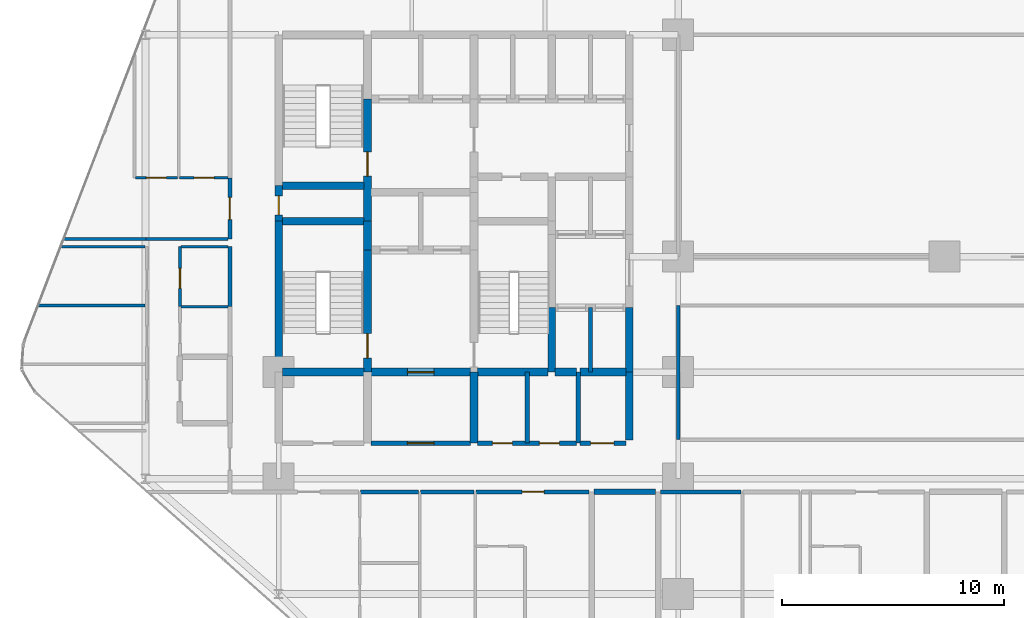
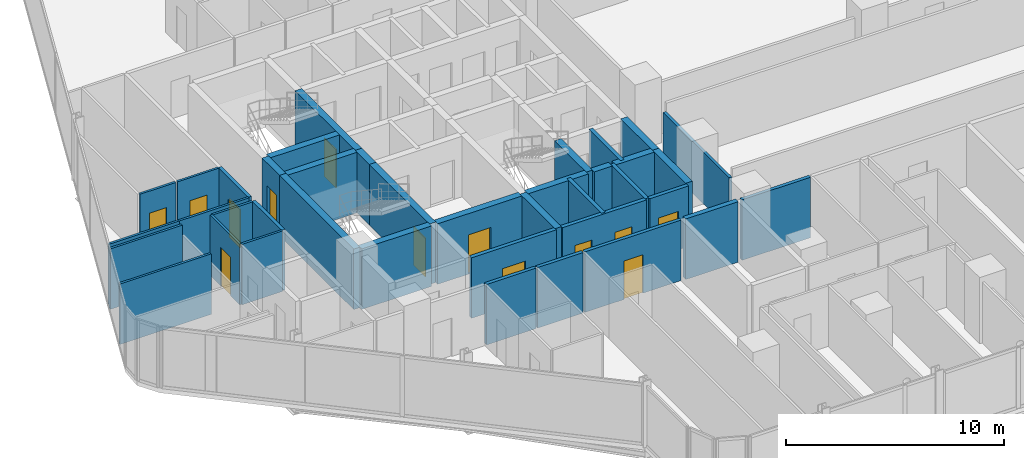
# One storey, part 27 of 33: 39 walls, 13 doors, 13 openings.
"""IFC4 building model written with IfcOpenShell, lengths in metres."""

import ifcopenshell
import ifcopenshell.guid

model = None  # the IFC model being written
_history = None  # IfcOwnerHistory: only IFC2X3 demands one
_inside = {}  # id of a spatial element -> (the spatial element, [elements in it])
_under = {}  # id of a project, library or spatial element -> (it, [spatial elements below it])
_declared = {}  # id of a project -> (the project, [libraries it declares])
_typed = {}  # id of a type object -> (the type object, [elements of that type])
_made_of = {}  # id of a material, layer set ... -> (it, [elements and type objects made of it])


def new_model(schema):
    """Start an empty IFC model of exactly this schema.

    Asked for "IFC4X3", IfcOpenShell would pick the latest addendum, in which some entities
    have other attributes; the version numbers below select the first issue.
    IFC2X3 requires an IfcOwnerHistory on every rooted entity: one is made here for all.
    """
    global model, _history
    if schema == "IFC4X3":
        model = ifcopenshell.file(schema_version=(4, 3, 0, 0))
    else:
        model = ifcopenshell.file(schema=schema)
    _inside.clear()
    _under.clear()
    _declared.clear()
    _typed.clear()
    _made_of.clear()
    _history = None
    if model.schema == "IFC2X3":
        org = make("IfcOrganization", Name="unknown")
        user = make(
            "IfcPersonAndOrganization",
            ThePerson=make("IfcPerson", FamilyName="unknown"),
            TheOrganization=org,
        )
        app = make(
            "IfcApplication",
            ApplicationDeveloper=org,
            Version="unknown",
            ApplicationFullName="unknown",
            ApplicationIdentifier="unknown",
        )
        _history = make(
            "IfcOwnerHistory",
            OwningUser=user,
            OwningApplication=app,
            ChangeAction="ADDED",
            CreationDate=0,
        )
    return model


def make(cls, **values):
    """One entity of the class cls with the attributes given. An attribute that is None is left unset."""
    return model.create_entity(
        cls, **{name: value for name, value in values.items() if value is not None}
    )


def rooted(cls, **values):
    """An entity with a GlobalId (a new one), such as an element, a storey or a relation."""
    return make(cls, GlobalId=ifcopenshell.guid.new(), OwnerHistory=_history, **values)


def si_unit(unit_type, name, prefix=None):
    """IfcSIUnit, for example si_unit("LENGTHUNIT", "METRE", prefix="MILLI")."""
    return make("IfcSIUnit", UnitType=unit_type, Prefix=prefix, Name=name)


def assignment(units):
    """IfcUnitAssignment: the units of a project."""
    return None if units is None else make("IfcUnitAssignment", Units=units)


def point(xyz):
    """IfcCartesianPoint."""
    return None if xyz is None else make("IfcCartesianPoint", Coordinates=xyz)


def direction(xyz):
    """IfcDirection."""
    return None if xyz is None else make("IfcDirection", DirectionRatios=xyz)


def frame(location, z_axis=None, x_axis=None):
    """IfcAxis2Placement3D, a coordinate frame: its origin and axes. An axis left out is left unset."""
    return make(
        "IfcAxis2Placement3D",
        Location=point(location),
        Axis=direction(z_axis),
        RefDirection=direction(x_axis),
    )


def frame_2d(location, x_axis=None):
    """IfcAxis2Placement2D, a coordinate frame in the plane: its origin and x axis."""
    return make(
        "IfcAxis2Placement2D", Location=point(location), RefDirection=direction(x_axis)
    )


def origin():
    """The frame at (0, 0, 0) with its axes left unset."""
    return frame((0.0, 0.0, 0.0))


def place(relative_to, where):
    """IfcLocalPlacement: puts the frame where relative to a parent placement (None: the world)."""
    return make(
        "IfcLocalPlacement", PlacementRelTo=relative_to, RelativePlacement=where
    )


def context(
    kind, dimensions, precision=None, world=None, true_north=None, identifier=None
):
    """IfcGeometricRepresentationContext, for example the 3D "Model" context."""
    return make(
        "IfcGeometricRepresentationContext",
        ContextIdentifier=identifier,
        ContextType=kind,
        CoordinateSpaceDimension=dimensions,
        Precision=precision,
        WorldCoordinateSystem=world,
        TrueNorth=true_north,
    )


def subcontext(parent, identifier, kind, view, scale=None):
    """IfcGeometricRepresentationSubContext, for example "Body" below "Model"."""
    return make(
        "IfcGeometricRepresentationSubContext",
        ContextIdentifier=identifier,
        ContextType=kind,
        ParentContext=parent,
        TargetScale=scale,
        TargetView=view,
    )


def project(units=None, contexts=None):
    """IfcProject with its units and contexts."""
    return rooted(
        "IfcProject",
        Name="project",
        RepresentationContexts=contexts,
        UnitsInContext=assignment(units),
    )


def spatial(cls, under=None, at=None, **own):
    """A site, building, storey or space (cls), placed at a placement, below another one or the project."""
    s = rooted(cls, ObjectPlacement=at, **own)
    if under is not None:
        _under.setdefault(under.id(), (under, []))[1].append(s)
    return s


def profile(cls, at=None, kind="AREA", **sizes):
    """A parametric profile (cls). Its sizes go by their IFC names, for example OverallWidth=200.0."""
    return make(cls, ProfileType=kind, Position=at, **sizes)


def rectangle(**sizes):
    """IfcRectangleProfileDef."""
    return profile("IfcRectangleProfileDef", **sizes)


def extrude(swept, where, along, depth):
    """IfcExtrudedAreaSolid: the profile swept, set in the frame where, extruded along a direction by depth."""
    return make(
        "IfcExtrudedAreaSolid",
        SweptArea=swept,
        Position=where,
        ExtrudedDirection=direction(along),
        Depth=depth,
    )


def shape(context_of_items, identifier, shape_type, items):
    """IfcShapeRepresentation: the items that make up one representation, for example the "Body"."""
    return make(
        "IfcShapeRepresentation",
        ContextOfItems=context_of_items,
        RepresentationIdentifier=identifier,
        RepresentationType=shape_type,
        Items=items,
    )


def material(Name=None, Category=None):
    """IfcMaterial."""
    return make("IfcMaterial", Name=Name, Category=Category)


def layer(
    of_material, thickness, ventilated=None, Name=None, Category=None, Priority=None
):
    """IfcMaterialLayer: one layer of a wall or slab, of a material (None: an air gap)."""
    return make(
        "IfcMaterialLayer",
        Material=of_material,
        LayerThickness=thickness,
        IsVentilated=ventilated,
        Name=Name,
        Category=Category,
        Priority=Priority,
    )


def layer_set(layers, Name=None):
    """IfcMaterialLayerSet."""
    return make("IfcMaterialLayerSet", MaterialLayers=layers, LayerSetName=Name)


def made_of(thing, what):
    """Note that an element or type object is made of a material, layer set ...; save() writes the relation."""
    if what is not None:
        _made_of.setdefault(what.id(), (what, []))[1].append(thing)
    return thing


def type_object(cls, material=None, **own):
    """A type object (cls), such as IfcWallType, which elements share."""
    return made_of(rooted(cls, **own), material)


def element(
    cls,
    number,
    at=None,
    inside=None,
    cuts=None,
    type_object=None,
    material=None,
    context=None,
    identifier="Body",
    shape_type=None,
    held_by="IfcProductDefinitionShape",
    body=None,
    shapes=None,
    **own,
):
    """One element of the class cls, such as IfcWall. Its Tag is "e" and its number.

    at: its placement. inside: the storey or other place that contains it. cuts: it is an
    opening in that element (IfcRelVoidsElement). A single representation is given by context,
    identifier, shape_type and body (its items); several are given by shapes. held_by: the class
    of the entity that holds the representations. save() writes the other relations.
    """
    e = rooted(cls, Tag="e%d" % number, ObjectPlacement=at, **own)
    if body is not None:
        shapes = [shape(context, identifier, shape_type, body)]
    if shapes is not None:
        e.Representation = make(held_by, Representations=shapes)
    if inside is not None:
        _inside.setdefault(inside.id(), (inside, []))[1].append(e)
    if cuts is not None:
        rooted(
            "IfcRelVoidsElement", RelatingBuildingElement=cuts, RelatedOpeningElement=e
        )
    if type_object is not None:
        _typed.setdefault(type_object.id(), (type_object, []))[1].append(e)
    return made_of(e, material)


def fill(opening, filler):
    """IfcRelFillsElement: the door or window that sits in an opening."""
    return rooted(
        "IfcRelFillsElement",
        RelatingOpeningElement=opening,
        RelatedBuildingElement=filler,
    )


def aggregate(whole, parts):
    """IfcRelAggregates: a whole, such as a stair, and the parts it consists of."""
    return rooted("IfcRelAggregates", RelatingObject=whole, RelatedObjects=parts)


def save(model, path):
    """Write the relations noted so far, then the file.

    IfcRelAggregates (storeys below a building ...), IfcRelContainedInSpatialStructure (elements
    in a storey), IfcRelDefinesByType, IfcRelAssociatesMaterial and IfcRelDeclares: one each for
    every whole, place, type object, material and project.
    """
    for whole, parts in _under.values():
        aggregate(whole, parts)
    for where, things in _inside.values():
        rooted(
            "IfcRelContainedInSpatialStructure",
            RelatedElements=things,
            RelatingStructure=where,
        )
    for kind, things in _typed.values():
        rooted("IfcRelDefinesByType", RelatedObjects=things, RelatingType=kind)
    for what, things in _made_of.values():
        rooted("IfcRelAssociatesMaterial", RelatedObjects=things, RelatingMaterial=what)
    for by, libraries in _declared.values():
        rooted("IfcRelDeclares", RelatingContext=by, RelatedDefinitions=libraries)
    model.write(path)


model = new_model("IFC4")

# Units and contexts
model_context = context("Model", 3, precision=1e-05, world=origin(), true_north=direction((0.0, 1.0)))
body_context = subcontext(model_context, "Body", "Model", "MODEL_VIEW")
ifc_project = project(units=[si_unit("LENGTHUNIT", "METRE"), si_unit("AREAUNIT", "SQUARE_METRE"), si_unit("VOLUMEUNIT", "CUBIC_METRE"), si_unit("PLANEANGLEUNIT", "RADIAN"), si_unit("MASSUNIT", "GRAM", prefix="KILO")], contexts=[model_context])

# Site, building, storey
site_placement = place(None, origin())
site = spatial("IfcSite", under=ifc_project, at=site_placement, CompositionType="ELEMENT")
building_placement = place(site_placement, origin())
building = spatial("IfcBuilding", under=site, at=building_placement, Name="Keshet Zoharim Tower", CompositionType="ELEMENT")
storey_placement = place(building_placement, frame((0.0, 0.0, 27.699951171875)))
storey = spatial("IfcBuildingStorey", under=building, at=storey_placement, Name="L05", CompositionType="ELEMENT", Elevation=27.699951171875)

# Walls
ifc_material_1 = material(Name="Gypsum Plasterboard", Category="gypsum")
ifc_layer_1 = layer(ifc_material_1, 0.14990234375)
ifc_layer_set_1 = layer_set([ifc_layer_1], Name="Gypsum Plasterboard")
wall_type_1 = type_object("IfcWallType", Name="WL-CLIN-150", PredefinedType="STANDARD", material=ifc_layer_set_1)
wall_1_placement = place(storey_placement, frame((33.0, 19.659912109375, 0.0), z_axis=(0.0, 0.0, 1.0), x_axis=(0.0, 1.0, 0.0)))
element("IfcWall", 1, at=wall_1_placement, inside=storey, type_object=wall_type_1, Name="L05 Interior Wall 072", PredefinedType="STANDARD", context=body_context, shape_type="SweptSolid", body=[
    extrude(rectangle(XDim=6.030029296875, YDim=0.14990234375, at=frame_2d((3.01513671875, 0.0))), origin(), (0.0, 0.0, 1.0), 2.885009765625),
])
ifc_material_2 = material(Name="Concrete C60/75", Category="concrete")
ifc_layer_2 = layer(ifc_material_2, 0.35009765625)
ifc_layer_set_2 = layer_set([ifc_layer_2], Name="Concrete C60/75")
wall_type_2 = type_object("IfcWallType", Name="WL-CORE-350", PredefinedType="SHEAR", material=ifc_layer_set_2)
wall_2_placement = place(storey_placement, frame((15.0, 22.699951171875, 0.0), z_axis=(0.0, 0.0, 1.0), x_axis=(0.0, 1.0, 0.0)))
element("IfcWall", 2, at=wall_2_placement, inside=storey, type_object=wall_type_2, Name="L05 Core Shear Wall 014", PredefinedType="SHEAR", context=body_context, shape_type="SweptSolid", body=[
    extrude(rectangle(XDim=6.800048828125, YDim=0.35009765625, at=frame_2d((3.39990234375, 0.0))), origin(), (0.0, 0.0, 1.0), 3.385009765625),
])

# Wall, opening, door
wall_3_placement = place(storey_placement, frame((15.0, 29.5, 0.0), z_axis=(0.0, 0.0, 1.0), x_axis=(0.0, 1.0, 0.0)))
wall_3 = element("IfcWall", 3, at=wall_3_placement, inside=storey, type_object=wall_type_2, Name="L05 Core Shear Wall 015", PredefinedType="SHEAR", context=body_context, shape_type="SweptSolid", body=[
    extrude(rectangle(XDim=1.60009765625, YDim=0.35009765625, at=frame_2d((0.800048828125, 0.0))), origin(), (0.0, 0.0, 1.0), 3.385009765625),
])
opening_1_placement = place(wall_3_placement, frame((0.287109375, 0.0, 0.0)))
opening_1 = element("IfcOpeningElement", 4, at=opening_1_placement, cuts=wall_3, Name="Opening D-RS85", PredefinedType="OPENING", context=body_context, shape_type="SweptSolid", body=[
    extrude(rectangle(XDim=0.85009765625, YDim=2.10009765625, at=frame_2d((0.425048828125, 1.050048828125))), frame((0.0, 0.18505859375, 0.0), z_axis=(0.0, -1.0, 0.0), x_axis=(1.0, 0.0, 0.0)), (0.0, 0.0, 1.0), 0.3701171875),
])
ifc_material_3 = material(Name="Hardwood Timber", Category="wood")
door_type_1 = type_object("IfcDoorType", Name="DR-RIS-085", OperationType="NOTDEFINED", PredefinedType="DOOR", material=ifc_material_3)
door_1_placement = place(opening_1_placement, origin())
door_1 = element("IfcDoor", 5, at=door_1_placement, inside=storey, type_object=door_type_1, Name="L05 Electrical Riser Access Cupboard Door", OperationType="SINGLE_SWING_LEFT", OverallHeight=2.10009765625, OverallWidth=0.85009765625, PredefinedType="DOOR", context=body_context, shape_type="SweptSolid", body=[
    extrude(rectangle(XDim=0.85009765625, YDim=2.10009765625, at=frame_2d((0.425048828125, 1.050048828125))), frame((0.0, 0.02490234375, 0.0), z_axis=(0.0, -1.0, 0.0), x_axis=(1.0, 0.0, 0.0)), (0.0, 0.0, 1.0), 0.050048828125),
])
fill(opening_1, door_1)

wall_4_placement = place(storey_placement, frame((19.0, 22.699951171875, 0.0), z_axis=(0.0, 0.0, 1.0), x_axis=(0.0, 1.0, 0.0)))
wall_4 = element("IfcWall", 6, at=wall_4_placement, inside=storey, type_object=wall_type_2, Name="L05 Core Shear Wall 022", PredefinedType="SHEAR", context=body_context, shape_type="SweptSolid", body=[
    extrude(rectangle(XDim=5.5, YDim=0.35009765625, at=frame_2d((2.75, 0.0))), origin(), (0.0, 0.0, 1.0), 3.385009765625),
])
opening_2_placement = place(wall_4_placement, frame((0.631103515625, 0.0, 0.0)))
opening_2 = element("IfcOpeningElement", 7, at=opening_2_placement, cuts=wall_4, Name="Opening D-F611", PredefinedType="OPENING", context=body_context, shape_type="SweptSolid", body=[
    extrude(rectangle(XDim=1.10009765625, YDim=2.14990234375, at=frame_2d((0.550048828125, 1.074951171875))), frame((0.0, 0.18505859375, 0.0), z_axis=(0.0, -1.0, 0.0), x_axis=(1.0, 0.0, 0.0)), (0.0, 0.0, 1.0), 0.3701171875),
])
door_type_2 = type_object("IfcDoorType", Name="DR-FD60-110", OperationType="NOTDEFINED", PredefinedType="DOOR", material=ifc_material_3)
door_2_placement = place(opening_2_placement, origin())
door_2 = element("IfcDoor", 8, at=door_2_placement, inside=storey, type_object=door_type_2, Name="L05 Exit Stair ST-01 Fire Door", OperationType="SINGLE_SWING_LEFT", OverallHeight=2.14990234375, OverallWidth=1.10009765625, PredefinedType="DOOR", context=body_context, shape_type="SweptSolid", body=[
    extrude(rectangle(XDim=1.10009765625, YDim=2.14990234375, at=frame_2d((0.550048828125, 1.074951171875))), frame((0.0, 0.02490234375, 0.0), z_axis=(0.0, -1.0, 0.0), x_axis=(1.0, 0.0, 0.0)), (0.0, 0.0, 1.0), 0.050048828125),
])
fill(opening_2, door_2)

# Wall
wall_5_placement = place(storey_placement, frame((19.0, 28.199951171875, 0.0), z_axis=(0.0, 0.0, 1.0), x_axis=(0.0, 1.0, 0.0)))
element("IfcWall", 9, at=wall_5_placement, inside=storey, type_object=wall_type_2, Name="L05 Core Shear Wall 023", PredefinedType="SHEAR", context=body_context, shape_type="SweptSolid", body=[
    extrude(rectangle(XDim=1.300048828125, YDim=0.35009765625, at=frame_2d((0.64990234375, 0.0))), origin(), (0.0, 0.0, 1.0), 3.385009765625),
])

# Wall, opening, door
wall_6_placement = place(storey_placement, frame((19.0, 29.5, 0.0), z_axis=(0.0, 0.0, 1.0), x_axis=(0.0, 1.0, 0.0)))
wall_6 = element("IfcWall", 10, at=wall_6_placement, inside=storey, type_object=wall_type_2, Name="L05 Core Shear Wall 024", PredefinedType="SHEAR", context=body_context, shape_type="SweptSolid", body=[
    extrude(rectangle(XDim=5.5, YDim=0.35009765625, at=frame_2d((2.75, 0.0))), origin(), (0.0, 0.0, 1.0), 3.385009765625),
])
opening_3_placement = place(wall_6_placement, frame((2.02490234375, 0.0, 0.0)))
opening_3 = element("IfcOpeningElement", 11, at=opening_3_placement, cuts=wall_6, Name="Opening D-F611", PredefinedType="OPENING", context=body_context, shape_type="SweptSolid", body=[
    extrude(rectangle(XDim=1.10009765625, YDim=2.14990234375, at=frame_2d((0.550048828125, 1.074951171875))), frame((0.0, 0.18505859375, 0.0), z_axis=(0.0, -1.0, 0.0), x_axis=(1.0, 0.0, 0.0)), (0.0, 0.0, 1.0), 0.3701171875),
])
door_3_placement = place(opening_3_placement, origin())
door_3 = element("IfcDoor", 12, at=door_3_placement, inside=storey, type_object=door_type_2, Name="L05 Exit Stair ST-02 Fire Door", OperationType="SINGLE_SWING_RIGHT", OverallHeight=2.14990234375, OverallWidth=1.10009765625, PredefinedType="DOOR", context=body_context, shape_type="SweptSolid", body=[
    extrude(rectangle(XDim=1.10009765625, YDim=2.14990234375, at=frame_2d((0.550048828125, 1.074951171875))), frame((0.0, 0.02490234375, 0.0), z_axis=(0.0, -1.0, 0.0), x_axis=(1.0, 0.0, 0.0)), (0.0, 0.0, 1.0), 0.050048828125),
])
fill(opening_3, door_3)

# Walls
wall_7_placement = place(storey_placement, frame((23.800048828125, 19.5, 0.0), z_axis=(0.0, 0.0, 1.0), x_axis=(0.0, 1.0, 0.0)))
element("IfcWall", 13, at=wall_7_placement, inside=storey, type_object=wall_type_2, Name="L05 Core Shear Wall 034", PredefinedType="SHEAR", context=body_context, shape_type="SweptSolid", body=[
    extrude(rectangle(XDim=3.199951171875, YDim=0.35009765625, at=frame_2d((1.60009765625, 0.0))), origin(), (0.0, 0.0, 1.0), 3.385009765625),
])
wall_8_placement = place(storey_placement, frame((27.300048828125, 22.699951171875, 0.0), z_axis=(0.0, 0.0, 1.0), x_axis=(0.0, 1.0, 0.0)))
element("IfcWall", 14, at=wall_8_placement, inside=storey, type_object=wall_type_2, Name="L05 Core Shear Wall 047", PredefinedType="SHEAR", context=body_context, shape_type="SweptSolid", body=[
    extrude(rectangle(XDim=2.900146484375, YDim=0.35009765625, at=frame_2d((1.4501953125, 0.0))), origin(), (0.0, 0.0, 1.0), 3.385009765625),
])
wall_9_placement = place(storey_placement, frame((30.800048828125, 19.64990234375, 0.0), z_axis=(0.0, 0.0, 1.0), x_axis=(0.0, 1.0, 0.0)))
element("IfcWall", 15, at=wall_9_placement, inside=storey, type_object=wall_type_2, Name="L05 Core Shear Wall 062", PredefinedType="SHEAR", context=body_context, shape_type="SweptSolid", body=[
    extrude(rectangle(XDim=3.050048828125, YDim=0.35009765625, at=frame_2d((1.52490234375, 0.0))), origin(), (0.0, 0.0, 1.0), 3.385009765625),
])
wall_10_placement = place(storey_placement, frame((30.800048828125, 22.699951171875, 0.0), z_axis=(0.0, 0.0, 1.0), x_axis=(0.0, 1.0, 0.0)))
element("IfcWall", 16, at=wall_10_placement, inside=storey, type_object=wall_type_2, Name="L05 Core Shear Wall 063", PredefinedType="SHEAR", context=body_context, shape_type="SweptSolid", body=[
    extrude(rectangle(XDim=2.900146484375, YDim=0.35009765625, at=frame_2d((1.4501953125, 0.0))), origin(), (0.0, 0.0, 1.0), 3.385009765625),
])
wall_11_placement = place(storey_placement, frame((15.159912109375, 22.699951171875, 0.0), z_axis=(0.0, 0.0, 1.0), x_axis=(1.0, 0.0, 0.0)))
element("IfcWall", 17, at=wall_11_placement, inside=storey, type_object=wall_type_2, Name="L05 Core Shear Wall 176", PredefinedType="SHEAR", context=body_context, shape_type="SweptSolid", body=[
    extrude(rectangle(XDim=3.68017578125, YDim=0.35009765625, at=frame_2d((1.840087890625, 0.0))), origin(), (0.0, 0.0, 1.0), 3.385009765625),
])

# Wall, opening, door
wall_12_placement = place(storey_placement, frame((19.159912109375, 22.699951171875, 0.0), z_axis=(0.0, 0.0, 1.0), x_axis=(1.0, 0.0, 0.0)))
wall_12 = element("IfcWall", 18, at=wall_12_placement, inside=storey, type_object=wall_type_2, Name="L05 Core Shear Wall 177", PredefinedType="SHEAR", context=body_context, shape_type="SweptSolid", body=[
    extrude(rectangle(XDim=4.47998046875, YDim=0.35009765625, at=frame_2d((2.239990234375, 0.0))), origin(), (0.0, 0.0, 1.0), 3.385009765625),
])
opening_4_placement = place(wall_12_placement, frame((1.639892578125, 0.0, 0.0)))
opening_4 = element("IfcOpeningElement", 19, at=opening_4_placement, cuts=wall_12, Name="Opening D-F612", PredefinedType="OPENING", context=body_context, shape_type="SweptSolid", body=[
    extrude(rectangle(XDim=1.199951171875, YDim=2.199951171875, at=frame_2d((0.60009765625, 1.10009765625))), frame((0.0, 0.18505859375, 0.0), z_axis=(0.0, -1.0, 0.0), x_axis=(1.0, 0.0, 0.0)), (0.0, 0.0, 1.0), 0.3701171875),
])
door_type_3 = type_object("IfcDoorType", Name="DR-FD60-120", OperationType="NOTDEFINED", PredefinedType="DOOR", material=ifc_material_3)
door_4_placement = place(opening_4_placement, origin())
door_4 = element("IfcDoor", 20, at=door_4_placement, inside=storey, type_object=door_type_3, Name="L05 South Core Lobby Fire Door", OperationType="SINGLE_SWING_RIGHT", OverallHeight=2.199951171875, OverallWidth=1.199951171875, PredefinedType="DOOR", context=body_context, shape_type="SweptSolid", body=[
    extrude(rectangle(XDim=1.199951171875, YDim=2.199951171875, at=frame_2d((0.60009765625, 1.10009765625))), frame((0.0, 0.02490234375, 0.0), z_axis=(0.0, -1.0, 0.0), x_axis=(1.0, 0.0, 0.0)), (0.0, 0.0, 1.0), 0.050048828125),
])
fill(opening_4, door_4)

# Walls
wall_13_placement = place(storey_placement, frame((23.9599609375, 22.699951171875, 0.0), z_axis=(0.0, 0.0, 1.0), x_axis=(1.0, 0.0, 0.0)))
element("IfcWall", 21, at=wall_13_placement, inside=storey, type_object=wall_type_2, Name="L05 Core Shear Wall 178", PredefinedType="SHEAR", context=body_context, shape_type="SweptSolid", body=[
    extrude(rectangle(XDim=3.179931640625, YDim=0.35009765625, at=frame_2d((1.58984375, 0.0))), origin(), (0.0, 0.0, 1.0), 3.385009765625),
])
wall_14_placement = place(storey_placement, frame((27.4599609375, 22.699951171875, 0.0), z_axis=(0.0, 0.0, 1.0), x_axis=(1.0, 0.0, 0.0)))
element("IfcWall", 22, at=wall_14_placement, inside=storey, type_object=wall_type_2, Name="L05 Core Shear Wall 179", PredefinedType="SHEAR", context=body_context, shape_type="SweptSolid", body=[
    extrude(rectangle(XDim=0.955078125, YDim=0.35009765625, at=frame_2d((0.4775390625, 0.0))), origin(), (0.0, 0.0, 1.0), 3.385009765625),
])
wall_15_placement = place(storey_placement, frame((28.5849609375, 22.699951171875, 0.0), z_axis=(0.0, 0.0, 1.0), x_axis=(1.0, 0.0, 0.0)))
element("IfcWall", 23, at=wall_15_placement, inside=storey, type_object=wall_type_2, Name="L05 Core Shear Wall 180", PredefinedType="SHEAR", context=body_context, shape_type="SweptSolid", body=[
    extrude(rectangle(XDim=2.054931640625, YDim=0.35009765625, at=frame_2d((1.02734375, 0.0))), origin(), (0.0, 0.0, 1.0), 3.385009765625),
])
for number, where, z_axis, x_axis, name in (
    (24, (15.159912109375, 29.5, 0.0), (0.0, 0.0, 1.0), (1.0, 0.0, 0.0), "L05 Core Shear Wall 194"),
    (25, (15.159912109375, 31.10009765625, 0.0), (0.0, 0.0, 1.0), (1.0, 0.0, 0.0), "L05 Core Shear Wall 197"),
):
    element("IfcWall", number, at=place(storey_placement, frame(where, z_axis=z_axis, x_axis=x_axis)), inside=storey, type_object=wall_type_2, Name=name, PredefinedType="SHEAR", context=body_context, shape_type="SweptSolid", body=[
        extrude(rectangle(XDim=3.68017578125, YDim=0.35009765625, at=frame_2d((1.840087890625, 0.0))), origin(), (0.0, 0.0, 1.0), 3.385009765625),
    ])
ifc_layer_3 = layer(ifc_material_1, 0.179931640625)
ifc_layer_set_3 = layer_set([ifc_layer_3], Name="Gypsum Plasterboard")
wall_type_3 = type_object("IfcWallType", Name="WL-CORR-180", PredefinedType="STANDARD", material=ifc_layer_set_3)
wall_16_placement = place(storey_placement, frame((12.800048828125, 25.64697265625, 0.0), z_axis=(0.0, 0.0, 1.0), x_axis=(0.0, 1.0, 0.0)))
element("IfcWall", 26, at=wall_16_placement, inside=storey, type_object=wall_type_3, Name="L05 Interior Wall 010", PredefinedType="STANDARD", context=body_context, shape_type="SweptSolid", body=[
    extrude(rectangle(XDim=2.703125, YDim=0.179931640625, at=frame_2d((1.3515625, 0.0))), origin(), (0.0, 0.0, 1.0), 3.385009765625),
])

# Wall, opening, door
wall_17_placement = place(storey_placement, frame((12.800048828125, 28.699951171875, 0.0), z_axis=(0.0, 0.0, 1.0), x_axis=(0.0, 1.0, 0.0)))
wall_17 = element("IfcWall", 27, at=wall_17_placement, inside=storey, type_object=wall_type_3, Name="L05 Interior Wall 011", PredefinedType="STANDARD", context=body_context, shape_type="SweptSolid", body=[
    extrude(rectangle(XDim=2.75, YDim=0.179931640625, at=frame_2d((1.375, 0.0))), origin(), (0.0, 0.0, 1.0), 3.385009765625),
])
opening_5_placement = place(wall_17_placement, frame((0.875, 0.0, 0.0)))
opening_5 = element("IfcOpeningElement", 28, at=opening_5_placement, cuts=wall_17, Name="Opening D-F310", PredefinedType="OPENING", context=body_context, shape_type="SweptSolid", body=[
    extrude(rectangle(XDim=1.0, YDim=2.14990234375, at=frame_2d((0.5, 1.074951171875))), frame((0.0, 0.10009765625, 0.0), z_axis=(0.0, -1.0, 0.0), x_axis=(1.0, 0.0, 0.0)), (0.0, 0.0, 1.0), 0.199951171875),
])
door_type_4 = type_object("IfcDoorType", Name="DR-FD30-100", OperationType="NOTDEFINED", PredefinedType="DOOR", material=ifc_material_3)
door_5_placement = place(opening_5_placement, origin())
door_5 = element("IfcDoor", 29, at=door_5_placement, inside=storey, type_object=door_type_4, Name="Apartment 0510 Entrance Door", OperationType="SINGLE_SWING_RIGHT", OverallHeight=2.14990234375, OverallWidth=1.0, PredefinedType="DOOR", context=body_context, shape_type="SweptSolid", body=[
    extrude(rectangle(XDim=1.0, YDim=2.14990234375, at=frame_2d((0.5, 1.074951171875))), frame((0.0, 0.02490234375, 0.0), z_axis=(0.0, -1.0, 0.0), x_axis=(1.0, 0.0, 0.0)), (0.0, 0.0, 1.0), 0.050048828125),
])
fill(opening_5, door_5)

# Walls
wall_18_placement = place(storey_placement, frame((18.68505859375, 17.300048828125, 0.0), z_axis=(0.0, 0.0, 1.0), x_axis=(1.0, 0.0, 0.0)))
element("IfcWall", 30, at=wall_18_placement, inside=storey, type_object=wall_type_3, Name="L05 Interior Wall 153", PredefinedType="STANDARD", context=body_context, shape_type="SweptSolid", body=[
    extrude(rectangle(XDim=2.60986328125, YDim=0.179931640625, at=frame_2d((1.304931640625, 0.0))), origin(), (0.0, 0.0, 1.0), 3.385009765625),
])
wall_19_placement = place(storey_placement, frame((21.385009765625, 17.300048828125, 0.0), z_axis=(0.0, 0.0, 1.0), x_axis=(1.0, 0.0, 0.0)))
element("IfcWall", 31, at=wall_19_placement, inside=storey, type_object=wall_type_3, Name="L05 Interior Wall 154", PredefinedType="STANDARD", context=body_context, shape_type="SweptSolid", body=[
    extrude(rectangle(XDim=2.409912109375, YDim=0.179931640625, at=frame_2d((1.205078125, 0.0))), origin(), (0.0, 0.0, 1.0), 3.385009765625),
])

# Wall, opening, door
wall_20_placement = place(storey_placement, frame((23.885009765625, 17.300048828125, 0.0), z_axis=(0.0, 0.0, 1.0), x_axis=(1.0, 0.0, 0.0)))
wall_20 = element("IfcWall", 32, at=wall_20_placement, inside=storey, type_object=wall_type_3, Name="L05 Interior Wall 155", PredefinedType="STANDARD", context=body_context, shape_type="SweptSolid", body=[
    extrude(rectangle(XDim=5.094970703125, YDim=0.179931640625, at=frame_2d((2.54736328125, 0.0))), origin(), (0.0, 0.0, 1.0), 3.385009765625),
])
opening_6_placement = place(wall_20_placement, frame((2.080078125, 0.0, 0.0)))
opening_6 = element("IfcOpeningElement", 33, at=opening_6_placement, cuts=wall_20, Name="Opening D-F310", PredefinedType="OPENING", context=body_context, shape_type="SweptSolid", body=[
    extrude(rectangle(XDim=1.0, YDim=2.14990234375, at=frame_2d((0.5, 1.074951171875))), frame((0.0, 0.10009765625, 0.0), z_axis=(0.0, -1.0, 0.0), x_axis=(1.0, 0.0, 0.0)), (0.0, 0.0, 1.0), 0.199951171875),
])
door_6_placement = place(opening_6_placement, origin())
door_6 = element("IfcDoor", 34, at=door_6_placement, inside=storey, type_object=door_type_4, Name="Apartment 0502 Entrance Door", OperationType="SINGLE_SWING_LEFT", OverallHeight=2.14990234375, OverallWidth=1.0, PredefinedType="DOOR", context=body_context, shape_type="SweptSolid", body=[
    extrude(rectangle(XDim=1.0, YDim=2.14990234375, at=frame_2d((0.5, 1.074951171875))), frame((0.0, 0.02490234375, 0.0), z_axis=(0.0, -1.0, 0.0), x_axis=(1.0, 0.0, 0.0)), (0.0, 0.0, 1.0), 0.050048828125),
])
fill(opening_6, door_6)

# Walls
wall_21_placement = place(storey_placement, frame((32.198974609375, 17.300048828125, 0.0), z_axis=(0.0, 0.0, 1.0), x_axis=(1.0, 0.0, 0.0)))
element("IfcWall", 35, at=wall_21_placement, inside=storey, type_object=wall_type_3, Name="L05 Interior Wall 157", PredefinedType="STANDARD", context=body_context, shape_type="SweptSolid", body=[
    extrude(rectangle(XDim=3.635986328125, YDim=0.179931640625, at=frame_2d((1.81787109375, 0.0))), origin(), (0.0, 0.0, 1.0), 3.385009765625),
])
ifc_material_4 = material(Name="Concrete C50/60", Category="concrete")
ifc_layer_4 = layer(ifc_material_4, 0.199951171875)
ifc_layer_set_4 = layer_set([ifc_layer_4], Name="Concrete C50/60")
wall_type_4 = type_object("IfcWallType", Name="WL-FIRE-200", PredefinedType="STANDARD", material=ifc_layer_set_4)
for number, where, z_axis, x_axis, name in (
    (36, (26.199951171875, 19.5, 0.0), (0.0, 0.0, 1.0), (0.0, 1.0, 0.0), "L05 Interior Wall 046"),
    (37, (28.5, 19.5, 0.0), (0.0, 0.0, 1.0), (0.0, 1.0, 0.0), "L05 Interior Wall 052"),
):
    element("IfcWall", number, at=place(storey_placement, frame(where, z_axis=z_axis, x_axis=x_axis)), inside=storey, type_object=wall_type_4, Name=name, PredefinedType="STANDARD", context=body_context, shape_type="SweptSolid", body=[
        extrude(rectangle(XDim=3.199951171875, YDim=0.199951171875, at=frame_2d((1.60009765625, 0.0))), origin(), (0.0, 0.0, 1.0), 3.385009765625),
    ])
wall_22_placement = place(storey_placement, frame((29.050048828125, 22.699951171875, 0.0), z_axis=(0.0, 0.0, 1.0), x_axis=(0.0, 1.0, 0.0)))
element("IfcWall", 38, at=wall_22_placement, inside=storey, type_object=wall_type_4, Name="L05 Interior Wall 057", PredefinedType="STANDARD", context=body_context, shape_type="SweptSolid", body=[
    extrude(rectangle(XDim=2.900146484375, YDim=0.199951171875, at=frame_2d((1.4501953125, 0.0))), origin(), (0.0, 0.0, 1.0), 3.385009765625),
])

# Wall, opening, door
wall_23_placement = place(storey_placement, frame((19.159912109375, 19.5, 0.0), z_axis=(0.0, 0.0, 1.0), x_axis=(1.0, 0.0, 0.0)))
wall_23 = element("IfcWall", 39, at=wall_23_placement, inside=storey, type_object=wall_type_4, Name="L05 Interior Wall 169", PredefinedType="STANDARD", context=body_context, shape_type="SweptSolid", body=[
    extrude(rectangle(XDim=4.47998046875, YDim=0.199951171875, at=frame_2d((2.239990234375, 0.0))), origin(), (0.0, 0.0, 1.0), 3.385009765625),
])
opening_7_placement = place(wall_23_placement, frame((1.639892578125, 0.0, 0.0)))
opening_7 = element("IfcOpeningElement", 40, at=opening_7_placement, cuts=wall_23, Name="Opening D-F612", PredefinedType="OPENING", context=body_context, shape_type="SweptSolid", body=[
    extrude(rectangle(XDim=1.199951171875, YDim=2.199951171875, at=frame_2d((0.60009765625, 1.10009765625))), frame((0.0, 0.10986328125, 0.0), z_axis=(0.0, -1.0, 0.0), x_axis=(1.0, 0.0, 0.0)), (0.0, 0.0, 1.0), 0.219970703125),
])
door_7_placement = place(opening_7_placement, origin())
door_7 = element("IfcDoor", 41, at=door_7_placement, inside=storey, type_object=door_type_3, Name="L05 South Vestibule Corridor Door", OperationType="SINGLE_SWING_LEFT", OverallHeight=2.199951171875, OverallWidth=1.199951171875, PredefinedType="DOOR", context=body_context, shape_type="SweptSolid", body=[
    extrude(rectangle(XDim=1.199951171875, YDim=2.199951171875, at=frame_2d((0.60009765625, 1.10009765625))), frame((0.0, 0.02490234375, 0.0), z_axis=(0.0, -1.0, 0.0), x_axis=(1.0, 0.0, 0.0)), (0.0, 0.0, 1.0), 0.050048828125),
])
fill(opening_7, door_7)

# Wall, openings, doors
wall_24_placement = place(storey_placement, frame((23.9599609375, 19.5, 0.0), z_axis=(0.0, 0.0, 1.0), x_axis=(1.0, 0.0, 0.0)))
wall_24 = element("IfcWall", 42, at=wall_24_placement, inside=storey, type_object=wall_type_4, Name="L05 Interior Wall 170", PredefinedType="STANDARD", context=body_context, shape_type="SweptSolid", body=[
    extrude(rectangle(XDim=4.455078125, YDim=0.199951171875, at=frame_2d((2.2275390625, 0.0))), origin(), (0.0, 0.0, 1.0), 3.385009765625),
])
opening_8_placement = place(wall_24_placement, frame((0.6650390625, 0.0, 0.0)))
opening_8 = element("IfcOpeningElement", 43, at=opening_8_placement, cuts=wall_24, Name="Opening D-F690", PredefinedType="OPENING", context=body_context, shape_type="SweptSolid", body=[
    extrude(rectangle(XDim=0.89990234375, YDim=2.14990234375, at=frame_2d((0.449951171875, 1.074951171875))), frame((0.0, 0.10986328125, 0.0), z_axis=(0.0, -1.0, 0.0), x_axis=(1.0, 0.0, 0.0)), (0.0, 0.0, 1.0), 0.219970703125),
])
opening_9_placement = place(wall_24_placement, frame((2.791015625, 0.0, 0.0)))
opening_9 = element("IfcOpeningElement", 44, at=opening_9_placement, cuts=wall_24, Name="Opening D-F690", PredefinedType="OPENING", context=body_context, shape_type="SweptSolid", body=[
    extrude(rectangle(XDim=0.89990234375, YDim=2.14990234375, at=frame_2d((0.449951171875, 1.074951171875))), frame((0.0, 0.10986328125, 0.0), z_axis=(0.0, -1.0, 0.0), x_axis=(1.0, 0.0, 0.0)), (0.0, 0.0, 1.0), 0.219970703125),
])
door_type_5 = type_object("IfcDoorType", Name="DR-FD60-090", OperationType="NOTDEFINED", PredefinedType="DOOR", material=ifc_material_3)
door_8_placement = place(opening_8_placement, origin())
door_8 = element("IfcDoor", 45, at=door_8_placement, inside=storey, type_object=door_type_5, Name="L05 Switchgear Room Door", OperationType="SINGLE_SWING_RIGHT", OverallHeight=2.14990234375, OverallWidth=0.89990234375, PredefinedType="DOOR", context=body_context, shape_type="SweptSolid", body=[
    extrude(rectangle(XDim=0.89990234375, YDim=2.14990234375, at=frame_2d((0.449951171875, 1.074951171875))), frame((0.0, 0.02490234375, 0.0), z_axis=(0.0, -1.0, 0.0), x_axis=(1.0, 0.0, 0.0)), (0.0, 0.0, 1.0), 0.050048828125),
])
fill(opening_8, door_8)
door_9_placement = place(opening_9_placement, origin())
door_9 = element("IfcDoor", 46, at=door_9_placement, inside=storey, type_object=door_type_5, Name="L05 Telecom Room Door", OperationType="SINGLE_SWING_LEFT", OverallHeight=2.14990234375, OverallWidth=0.89990234375, PredefinedType="DOOR", context=body_context, shape_type="SweptSolid", body=[
    extrude(rectangle(XDim=0.89990234375, YDim=2.14990234375, at=frame_2d((0.449951171875, 1.074951171875))), frame((0.0, 0.02490234375, 0.0), z_axis=(0.0, -1.0, 0.0), x_axis=(1.0, 0.0, 0.0)), (0.0, 0.0, 1.0), 0.050048828125),
])
fill(opening_9, door_9)

# Wall, opening, door
wall_25_placement = place(storey_placement, frame((28.5849609375, 19.5, 0.0), z_axis=(0.0, 0.0, 1.0), x_axis=(1.0, 0.0, 0.0)))
wall_25 = element("IfcWall", 47, at=wall_25_placement, inside=storey, type_object=wall_type_4, Name="L05 Interior Wall 171", PredefinedType="STANDARD", context=body_context, shape_type="SweptSolid", body=[
    extrude(rectangle(XDim=2.054931640625, YDim=0.199951171875, at=frame_2d((1.02734375, 0.0))), origin(), (0.0, 0.0, 1.0), 3.385009765625),
])
opening_10_placement = place(wall_25_placement, frame((0.466064453125, 0.0, 0.0)))
opening_10 = element("IfcOpeningElement", 48, at=opening_10_placement, cuts=wall_25, Name="Opening D-AC10", PredefinedType="OPENING", context=body_context, shape_type="SweptSolid", body=[
    extrude(rectangle(XDim=1.050048828125, YDim=2.14990234375, at=frame_2d((0.52490234375, 1.074951171875))), frame((0.0, 0.10986328125, 0.0), z_axis=(0.0, -1.0, 0.0), x_axis=(1.0, 0.0, 0.0)), (0.0, 0.0, 1.0), 0.219970703125),
])
door_type_6 = type_object("IfcDoorType", Name="DR-ACC-105", OperationType="NOTDEFINED", PredefinedType="DOOR", material=ifc_material_3)
door_10_placement = place(opening_10_placement, origin())
door_10 = element("IfcDoor", 49, at=door_10_placement, inside=storey, type_object=door_type_6, Name="L05 Accessible WC Door", OperationType="SINGLE_SWING_RIGHT", OverallHeight=2.14990234375, OverallWidth=1.050048828125, PredefinedType="DOOR", context=body_context, shape_type="SweptSolid", body=[
    extrude(rectangle(XDim=1.050048828125, YDim=2.14990234375, at=frame_2d((0.52490234375, 1.074951171875))), frame((0.0, 0.02490234375, 0.0), z_axis=(0.0, -1.0, 0.0), x_axis=(1.0, 0.0, 0.0)), (0.0, 0.0, 1.0), 0.050048828125),
])
fill(opening_10, door_10)

# Wall
ifc_layer_5 = layer(ifc_material_4, 0.25)
ifc_layer_set_5 = layer_set([ifc_layer_5], Name="Concrete C50/60")
wall_type_5 = type_object("IfcWallType", Name="WL-MAMAD-250", PredefinedType="STANDARD", material=ifc_layer_set_5)
wall_26_placement = place(storey_placement, frame((29.199951171875, 17.300048828125, 0.0), z_axis=(0.0, 0.0, 1.0), x_axis=(1.0, 0.0, 0.0)))
element("IfcWall", 50, at=wall_26_placement, inside=storey, type_object=wall_type_5, Name="L05 Interior Wall 156", PredefinedType="STANDARD", context=body_context, shape_type="SweptSolid", body=[
    extrude(rectangle(XDim=2.779052734375, YDim=0.25, at=frame_2d((1.3896484375, 0.0))), origin(), (0.0, 0.0, 1.0), 3.385009765625),
])

# Wall, opening, door
ifc_layer_6 = layer(ifc_material_1, 0.1201171875)
ifc_layer_set_6 = layer_set([ifc_layer_6], Name="Gypsum Plasterboard")
wall_type_6 = type_object("IfcWallType", Name="WL-PART-120", PredefinedType="PARTITIONING", material=ifc_layer_set_6)
wall_27_placement = place(storey_placement, frame((10.550048828125, 25.64697265625, 0.0), z_axis=(0.0, 0.0, 1.0), x_axis=(0.0, 1.0, 0.0)))
wall_27 = element("IfcWall", 51, at=wall_27_placement, inside=storey, type_object=wall_type_6, Name="L05 Interior Wall 006", PredefinedType="PARTITIONING", context=body_context, shape_type="SweptSolid", body=[
    extrude(rectangle(XDim=2.703125, YDim=0.1201171875, at=frame_2d((1.3515625, 0.0))), origin(), (0.0, 0.0, 1.0), 3.385009765625),
])
opening_11_placement = place(wall_27_placement, frame((0.830078125, 0.0, 0.0)))
opening_11 = element("IfcOpeningElement", 52, at=opening_11_placement, cuts=wall_27, Name="Opening D-IN90", PredefinedType="OPENING", context=body_context, shape_type="SweptSolid", body=[
    extrude(rectangle(XDim=0.89990234375, YDim=2.14990234375, at=frame_2d((0.449951171875, 1.074951171875))), frame((0.0, 0.070068359375, 0.0), z_axis=(0.0, -1.0, 0.0), x_axis=(1.0, 0.0, 0.0)), (0.0, 0.0, 1.0), 0.14013671875),
])
door_type_7 = type_object("IfcDoorType", Name="DR-INT-090", OperationType="NOTDEFINED", PredefinedType="DOOR", material=ifc_material_3)
door_11_placement = place(opening_11_placement, origin())
door_11 = element("IfcDoor", 53, at=door_11_placement, inside=storey, type_object=door_type_7, Name="Apartment 0509 Kitchen Door", OperationType="SINGLE_SWING_RIGHT", OverallHeight=2.14990234375, OverallWidth=0.89990234375, PredefinedType="DOOR", context=body_context, shape_type="SweptSolid", body=[
    extrude(rectangle(XDim=0.89990234375, YDim=2.14990234375, at=frame_2d((0.449951171875, 1.074951171875))), frame((0.0, 0.02490234375, 0.0), z_axis=(0.0, -1.0, 0.0), x_axis=(1.0, 0.0, 0.0)), (0.0, 0.0, 1.0), 0.050048828125),
])
fill(opening_11, door_11)

# Walls
wall_28_placement = place(storey_placement, frame((4.1640625, 25.699951171875, 0.0), z_axis=(0.0, 0.0, 1.0), x_axis=(1.0, 0.0, 0.0)))
element("IfcWall", 54, at=wall_28_placement, inside=storey, type_object=wall_type_6, Name="L05 Interior Wall 185", PredefinedType="PARTITIONING", context=body_context, shape_type="SweptSolid", body=[
    extrude(rectangle(XDim=4.821044921875, YDim=0.1201171875, at=frame_2d((2.41064453125, 0.0))), origin(), (0.0, 0.0, 1.0), 3.385009765625),
])
wall_29_placement = place(storey_placement, frame((5.18310546875, 28.35009765625, 0.0), z_axis=(0.0, 0.0, 1.0), x_axis=(1.0, 0.0, 0.0)))
element("IfcWall", 55, at=wall_29_placement, inside=storey, type_object=wall_type_6, Name="L05 Interior Wall 189", PredefinedType="PARTITIONING", context=body_context, shape_type="SweptSolid", body=[
    extrude(rectangle(XDim=3.802001953125, YDim=0.1201171875, at=frame_2d((1.90087890625, 0.0))), origin(), (0.0, 0.0, 1.0), 3.385009765625),
])
wall_30_placement = place(storey_placement, frame((10.594970703125, 28.35009765625, 0.0), z_axis=(0.0, 0.0, 1.0), x_axis=(1.0, 0.0, 0.0)))
element("IfcWall", 56, at=wall_30_placement, inside=storey, type_object=wall_type_6, Name="L05 Interior Wall 190", PredefinedType="PARTITIONING", context=body_context, shape_type="SweptSolid", body=[
    extrude(rectangle(XDim=2.130126953125, YDim=0.1201171875, at=frame_2d((1.06494140625, 0.0))), origin(), (0.0, 0.0, 1.0), 3.385009765625),
])
wall_31_placement = place(storey_placement, frame((5.31689453125, 28.699951171875, 0.0), z_axis=(0.0, 0.0, 1.0), x_axis=(1.0, 0.0, 0.0)))
element("IfcWall", 57, at=wall_31_placement, inside=storey, type_object=wall_type_6, Name="L05 Interior Wall 191", PredefinedType="PARTITIONING", context=body_context, shape_type="SweptSolid", body=[
    extrude(rectangle(XDim=3.713134765625, YDim=0.1201171875, at=frame_2d((1.8564453125, 0.0))), origin(), (0.0, 0.0, 1.0), 3.385009765625),
])
wall_32_placement = place(storey_placement, frame((9.030029296875, 28.699951171875, 0.0), z_axis=(0.0, 0.0, 1.0), x_axis=(1.0, 0.0, 0.0)))
element("IfcWall", 58, at=wall_32_placement, inside=storey, type_object=wall_type_6, Name="L05 Interior Wall 192", PredefinedType="PARTITIONING", context=body_context, shape_type="SweptSolid", body=[
    extrude(rectangle(XDim=3.695068359375, YDim=0.1201171875, at=frame_2d((1.84765625, 0.0))), origin(), (0.0, 0.0, 1.0), 3.385009765625),
])

# Wall, opening, door
wall_33_placement = place(storey_placement, frame((8.544921875, 31.449951171875, 0.0), z_axis=(0.0, 0.0, 1.0), x_axis=(1.0, 0.0, 0.0)))
wall_33 = element("IfcWall", 59, at=wall_33_placement, inside=storey, type_object=wall_type_6, Name="L05 Interior Wall 198", PredefinedType="PARTITIONING", context=body_context, shape_type="SweptSolid", body=[
    extrude(rectangle(XDim=1.88818359375, YDim=0.1201171875, at=frame_2d((0.944091796875, 0.0))), origin(), (0.0, 0.0, 1.0), 3.385009765625),
])
opening_12_placement = place(wall_33_placement, frame((0.493896484375, 0.0, 0.0)))
opening_12 = element("IfcOpeningElement", 60, at=opening_12_placement, cuts=wall_33, Name="Opening D-IN90", PredefinedType="OPENING", context=body_context, shape_type="SweptSolid", body=[
    extrude(rectangle(XDim=0.89990234375, YDim=2.14990234375, at=frame_2d((0.449951171875, 1.074951171875))), frame((0.0, 0.070068359375, 0.0), z_axis=(0.0, -1.0, 0.0), x_axis=(1.0, 0.0, 0.0)), (0.0, 0.0, 1.0), 0.14013671875),
])
door_12_placement = place(opening_12_placement, origin())
door_12 = element("IfcDoor", 61, at=door_12_placement, inside=storey, type_object=door_type_7, Name="Apartment 0510 Kitchen Door", OperationType="SINGLE_SWING_RIGHT", OverallHeight=2.14990234375, OverallWidth=0.89990234375, PredefinedType="DOOR", context=body_context, shape_type="SweptSolid", body=[
    extrude(rectangle(XDim=0.89990234375, YDim=2.14990234375, at=frame_2d((0.449951171875, 1.074951171875))), frame((0.0, 0.02490234375, 0.0), z_axis=(0.0, -1.0, 0.0), x_axis=(1.0, 0.0, 0.0)), (0.0, 0.0, 1.0), 0.050048828125),
])
fill(opening_12, door_12)

# Wall
ifc_layer_7 = layer(ifc_material_1, 0.1201171875)
ifc_layer_set_7 = layer_set([ifc_layer_7], Name="Gypsum Plasterboard")
wall_type_7 = type_object("IfcWallType", Name="WL-WET-120", PredefinedType="PARTITIONING", material=ifc_layer_set_7)
wall_34_placement = place(storey_placement, frame((10.594970703125, 25.64990234375, 0.0), z_axis=(0.0, 0.0, 1.0), x_axis=(1.0, 0.0, 0.0)))
element("IfcWall", 62, at=wall_34_placement, inside=storey, type_object=wall_type_7, Name="L05 Interior Wall 184", PredefinedType="PARTITIONING", context=body_context, shape_type="SweptSolid", body=[
    extrude(rectangle(XDim=2.130126953125, YDim=0.1201171875, at=frame_2d((1.06494140625, 0.0))), origin(), (0.0, 0.0, 1.0), 3.385009765625),
])

# Wall, opening, door
wall_35_placement = place(storey_placement, frame((10.52294921875, 31.449951171875, 0.0), z_axis=(0.0, 0.0, 1.0), x_axis=(1.0, 0.0, 0.0)))
wall_35 = element("IfcWall", 63, at=wall_35_placement, inside=storey, type_object=wall_type_7, Name="L05 Interior Wall 199", PredefinedType="PARTITIONING", context=body_context, shape_type="SweptSolid", body=[
    extrude(rectangle(XDim=2.2021484375, YDim=0.1201171875, at=frame_2d((1.10107421875, 0.0))), origin(), (0.0, 0.0, 1.0), 3.385009765625),
])
opening_13_placement = place(wall_35_placement, frame((0.666015625, 0.0, 0.0)))
opening_13 = element("IfcOpeningElement", 64, at=opening_13_placement, cuts=wall_35, Name="Opening D-WT90", PredefinedType="OPENING", context=body_context, shape_type="SweptSolid", body=[
    extrude(rectangle(XDim=0.89990234375, YDim=2.10009765625, at=frame_2d((0.449951171875, 1.050048828125))), frame((0.0, 0.070068359375, 0.0), z_axis=(0.0, -1.0, 0.0), x_axis=(1.0, 0.0, 0.0)), (0.0, 0.0, 1.0), 0.14013671875),
])
door_type_8 = type_object("IfcDoorType", Name="DR-WET-090", OperationType="NOTDEFINED", PredefinedType="DOOR", material=ifc_material_3)
door_13_placement = place(opening_13_placement, origin())
door_13 = element("IfcDoor", 65, at=door_13_placement, inside=storey, type_object=door_type_8, Name="Apartment 0510 Bathroom Door", OperationType="SINGLE_SWING_LEFT", OverallHeight=2.10009765625, OverallWidth=0.89990234375, PredefinedType="DOOR", context=body_context, shape_type="SweptSolid", body=[
    extrude(rectangle(XDim=0.89990234375, YDim=2.10009765625, at=frame_2d((0.449951171875, 1.050048828125))), frame((0.0, 0.02490234375, 0.0), z_axis=(0.0, -1.0, 0.0), x_axis=(1.0, 0.0, 0.0)), (0.0, 0.0, 1.0), 0.050048828125),
])
fill(opening_13, door_13)

save(model, "model.ifc")
